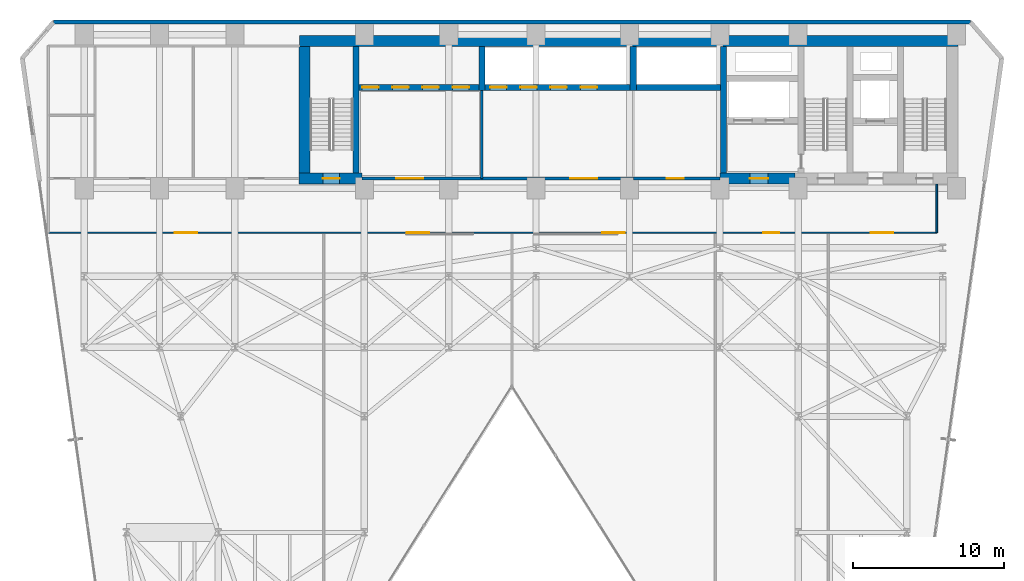
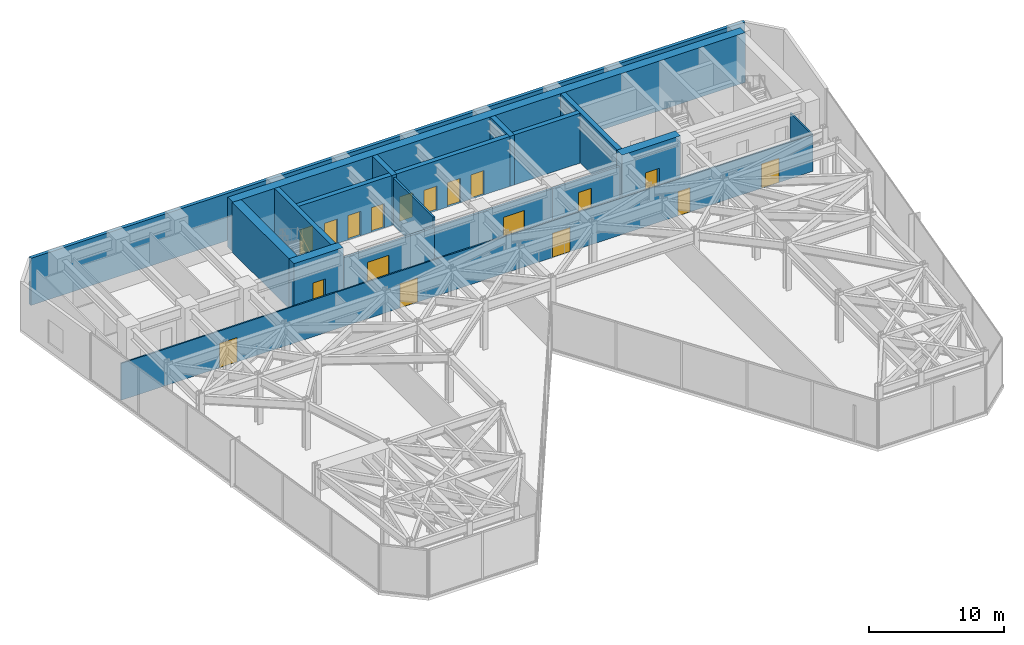
# One storey, part 24 of 28: 18 doors, 18 walls, 18 openings.
"""IFC4 building model written with IfcOpenShell, lengths in metres."""

from ifc_helpers import new_model, si_unit, direction, frame, frame_2d, origin, place, context, subcontext, project, spatial, rectangle, extrude, material, layer, layer_set, type_object, element, fill, save


model = new_model("IFC4")

# Units and contexts
model_context = context("Model", 3, precision=1e-05, world=origin(), true_north=direction((0.0, 1.0)))
body_context = subcontext(model_context, "Body", "Model", "MODEL_VIEW")
ifc_project = project(units=[si_unit("LENGTHUNIT", "METRE"), si_unit("AREAUNIT", "SQUARE_METRE"), si_unit("VOLUMEUNIT", "CUBIC_METRE"), si_unit("PLANEANGLEUNIT", "RADIAN"), si_unit("MASSUNIT", "GRAM", prefix="KILO")], contexts=[model_context])

# Site, building, storey
site_placement = place(None, origin())
site = spatial("IfcSite", under=ifc_project, at=site_placement, CompositionType="ELEMENT")
building_placement = place(site_placement, origin())
building = spatial("IfcBuilding", under=site, at=building_placement, Name="Kravanh Interchange Tower", CompositionType="ELEMENT")
storey_placement = place(building_placement, frame((0.0, 0.0, 91.5)))
storey = spatial("IfcBuildingStorey", under=building, at=storey_placement, Name="L21", CompositionType="ELEMENT", Elevation=91.5)

# Wall, openings, doors
ifc_material_1 = material(Name="Double Acoustic Gypsum Board and Mineral Wool")
ifc_layer_1 = layer(ifc_material_1, 0.1201171875)
ifc_layer_set_1 = layer_set([ifc_layer_1], Name="Acoustic Office Drywall Partition 120mm")
wall_type_1 = type_object("IfcWallType", Name="Acoustic Office Drywall Partition 120mm", PredefinedType="PARTITIONING", material=ifc_layer_set_1)
wall_1_placement = place(storey_placement, frame((6.219970703125, 34.39990234375, 0.0), z_axis=(0.0, 0.0, 1.0), x_axis=(1.0, 0.0, 0.0)))
wall_1 = element("IfcWall", 1, at=wall_1_placement, inside=storey, type_object=wall_type_1, Name="L21 Interior Partition 11", PredefinedType="PARTITIONING", context=body_context, shape_type="SweptSolid", body=[
    extrude(rectangle(XDim=58.97998046875, YDim=0.1201171875, at=frame_2d((29.489990234375, 0.0))), origin(), (0.0, 0.0, 1.0), 3.322998046875),
])
opening_1_placement = place(wall_1_placement, frame((8.389892578125, 0.0, 0.0)))
opening_1 = element("IfcOpeningElement", 2, at=opening_1_placement, cuts=wall_1, Name="Opening DBL-150", PredefinedType="OPENING", context=body_context, shape_type="SweptSolid", body=[
    extrude(rectangle(XDim=1.5, YDim=2.199951171875, at=frame_2d((0.75, 1.10009765625))), frame((0.0, 0.070068359375, 0.0), z_axis=(0.0, -1.0, 0.0), x_axis=(1.0, 0.0, 0.0)), (0.0, 0.0, 1.0), 0.14013671875),
])
opening_2_placement = place(wall_1_placement, frame((23.780029296875, 0.0, 0.0)))
opening_2 = element("IfcOpeningElement", 3, at=opening_2_placement, cuts=wall_1, Name="Opening DBL-150", PredefinedType="OPENING", context=body_context, shape_type="SweptSolid", body=[
    extrude(rectangle(XDim=1.5, YDim=2.199951171875, at=frame_2d((0.75, 1.10009765625))), frame((0.0, 0.070068359375, 0.0), z_axis=(0.0, -1.0, 0.0), x_axis=(1.0, 0.0, 0.0)), (0.0, 0.0, 1.0), 0.14013671875),
])
opening_3_placement = place(wall_1_placement, frame((36.780029296875, 0.0, 0.0)))
opening_3 = element("IfcOpeningElement", 4, at=opening_3_placement, cuts=wall_1, Name="Opening DBL-150", PredefinedType="OPENING", context=body_context, shape_type="SweptSolid", body=[
    extrude(rectangle(XDim=1.5, YDim=2.199951171875, at=frame_2d((0.75, 1.10009765625))), frame((0.0, 0.070068359375, 0.0), z_axis=(0.0, -1.0, 0.0), x_axis=(1.0, 0.0, 0.0)), (0.0, 0.0, 1.0), 0.14013671875),
])
opening_4_placement = place(wall_1_placement, frame((47.46484375, 0.0, 0.0)))
opening_4 = element("IfcOpeningElement", 5, at=opening_4_placement, cuts=wall_1, Name="Opening D-105", PredefinedType="OPENING", context=body_context, shape_type="SweptSolid", body=[
    extrude(rectangle(XDim=1.050048828125, YDim=2.199951171875, at=frame_2d((0.52490234375, 1.10009765625))), frame((0.0, 0.070068359375, 0.0), z_axis=(0.0, -1.0, 0.0), x_axis=(1.0, 0.0, 0.0)), (0.0, 0.0, 1.0), 0.14013671875),
])
opening_5_placement = place(wall_1_placement, frame((54.589599609375, 0.0, 0.0)))
opening_5 = element("IfcOpeningElement", 6, at=opening_5_placement, cuts=wall_1, Name="Opening DBL-150", PredefinedType="OPENING", context=body_context, shape_type="SweptSolid", body=[
    extrude(rectangle(XDim=1.5, YDim=2.199951171875, at=frame_2d((0.75, 1.10009765625))), frame((0.0, 0.070068359375, 0.0), z_axis=(0.0, -1.0, 0.0), x_axis=(1.0, 0.0, 0.0)), (0.0, 0.0, 1.0), 0.14013671875),
])
ifc_material_2 = material(Name="Acoustic Timber and Toughened Glass", Category="wood")
door_type_1 = type_object("IfcDoorType", Name="Conference Hall Double Door 1500x2200", OperationType="DOUBLE_DOOR_SINGLE_SWING", PredefinedType="DOOR", material=ifc_material_2)
door_1_placement = place(opening_1_placement, origin())
door_1 = element("IfcDoor", 7, at=door_1_placement, inside=storey, type_object=door_type_1, Name="L21 Sky Espresso Lounge Door", OperationType="DOUBLE_DOOR_SINGLE_SWING", OverallHeight=2.199951171875, OverallWidth=1.5, PredefinedType="DOOR", context=body_context, shape_type="SweptSolid", body=[
    extrude(rectangle(XDim=1.5, YDim=2.199951171875, at=frame_2d((0.75, 1.10009765625))), frame((0.0, 0.02490234375, 0.0), z_axis=(0.0, -1.0, 0.0), x_axis=(1.0, 0.0, 0.0)), (0.0, 0.0, 1.0), 0.050048828125),
])
fill(opening_1, door_1)
door_2_placement = place(opening_2_placement, origin())
door_2 = element("IfcDoor", 8, at=door_2_placement, inside=storey, type_object=door_type_1, Name="L21 West Transfer Lounge Door", OperationType="DOUBLE_DOOR_SINGLE_SWING", OverallHeight=2.199951171875, OverallWidth=1.5, PredefinedType="DOOR", context=body_context, shape_type="SweptSolid", body=[
    extrude(rectangle(XDim=1.5, YDim=2.199951171875, at=frame_2d((0.75, 1.10009765625))), frame((0.0, 0.02490234375, 0.0), z_axis=(0.0, -1.0, 0.0), x_axis=(1.0, 0.0, 0.0)), (0.0, 0.0, 1.0), 0.050048828125),
])
fill(opening_2, door_2)
door_3_placement = place(opening_3_placement, origin())
door_3 = element("IfcDoor", 9, at=door_3_placement, inside=storey, type_object=door_type_1, Name="L21 East Transfer Hall Door", OperationType="DOUBLE_DOOR_SINGLE_SWING", OverallHeight=2.199951171875, OverallWidth=1.5, PredefinedType="DOOR", context=body_context, shape_type="SweptSolid", body=[
    extrude(rectangle(XDim=1.5, YDim=2.199951171875, at=frame_2d((0.75, 1.10009765625))), frame((0.0, 0.02490234375, 0.0), z_axis=(0.0, -1.0, 0.0), x_axis=(1.0, 0.0, 0.0)), (0.0, 0.0, 1.0), 0.050048828125),
])
fill(opening_3, door_3)
door_4_placement = place(opening_5_placement, origin())
door_4 = element("IfcDoor", 10, at=door_4_placement, inside=storey, type_object=door_type_1, Name="L21 Sky Concierge Office Door", OperationType="DOUBLE_DOOR_SINGLE_SWING", OverallHeight=2.199951171875, OverallWidth=1.5, PredefinedType="DOOR", context=body_context, shape_type="SweptSolid", body=[
    extrude(rectangle(XDim=1.5, YDim=2.199951171875, at=frame_2d((0.75, 1.10009765625))), frame((0.0, 0.02490234375, 0.0), z_axis=(0.0, -1.0, 0.0), x_axis=(1.0, 0.0, 0.0)), (0.0, 0.0, 1.0), 0.050048828125),
])
fill(opening_5, door_4)
ifc_material_3 = material(Name="Acoustic Glazed Oak and Aluminium", Category="aluminium")
door_type_2 = type_object("IfcDoorType", Name="Office Workplace Door 1050x2200", OperationType="NOTDEFINED", PredefinedType="DOOR", material=ifc_material_3)
door_5_placement = place(opening_4_placement, origin())
door_5 = element("IfcDoor", 11, at=door_5_placement, inside=storey, type_object=door_type_2, Name="L21 Sky Briefing Boardroom Door", OperationType="SINGLE_SWING_LEFT", OverallHeight=2.199951171875, OverallWidth=1.050048828125, PredefinedType="DOOR", context=body_context, shape_type="SweptSolid", body=[
    extrude(rectangle(XDim=1.050048828125, YDim=2.199951171875, at=frame_2d((0.52490234375, 1.10009765625))), frame((0.0, 0.02490234375, 0.0), z_axis=(0.0, -1.0, 0.0), x_axis=(1.0, 0.0, 0.0)), (0.0, 0.0, 1.0), 0.050048828125),
])
fill(opening_4, door_5)

# Walls
wall_2_placement = place(storey_placement, frame((65.199951171875, 34.39990234375, 0.0), z_axis=(0.0, 0.0, 1.0), x_axis=(0.0, 1.0, 0.0)))
element("IfcWall", 12, at=wall_2_placement, inside=storey, type_object=wall_type_1, Name="L21 Interior Partition 13", PredefinedType="PARTITIONING", context=body_context, shape_type="SweptSolid", body=[
    extrude(rectangle(XDim=3.217041015625, YDim=0.1201171875, at=frame_2d((1.6083984375, 0.0))), origin(), (0.0, 0.0, 1.0), 3.322998046875),
])
ifc_material_4 = material(Name="Concrete C80/95", Category="concrete")
ifc_layer_2 = layer(ifc_material_4, 0.39990234375)
ifc_layer_set_2 = layer_set([ifc_layer_2], Name="Core Shear Wall Concrete C80/95 400mm")
wall_type_2 = type_object("IfcWallType", Name="Core Shear Wall Concrete C80/95 400mm", PredefinedType="SHEAR", material=ifc_layer_set_2)
wall_3_placement = place(storey_placement, frame((51.050048828125, 38.375, 0.0), z_axis=(0.0, 0.0, 1.0), x_axis=(0.0, 1.0, 0.0)))
element("IfcWall", 13, at=wall_3_placement, inside=storey, type_object=wall_type_2, Name="L21 Firefighting Lobby West Wall", PredefinedType="SHEAR", context=body_context, shape_type="SweptSolid", body=[
    extrude(rectangle(XDim=8.375, YDim=0.39990234375, at=frame_2d((4.1875, 0.0))), origin(), (0.0, 0.0, 1.0), 4.5),
])
wall_4_placement = place(storey_placement, frame((45.25, 44.050048828125, 0.0), z_axis=(0.0, 0.0, 1.0), x_axis=(1.0, 0.0, 0.0)))
element("IfcWall", 14, at=wall_4_placement, inside=storey, type_object=wall_type_2, Name="L21 High-Rise Lift Shaft South Wall", PredefinedType="SHEAR", context=body_context, shape_type="SweptSolid", body=[
    extrude(rectangle(XDim=5.60009765625, YDim=0.39990234375, at=frame_2d((2.800048828125, 0.0))), origin(), (0.0, 0.0, 1.0), 4.5),
])
wall_5_placement = place(storey_placement, frame((45.050048828125, 43.85009765625, 0.0), z_axis=(0.0, 0.0, 1.0), x_axis=(0.0, 1.0, 0.0)))
element("IfcWall", 15, at=wall_5_placement, inside=storey, type_object=wall_type_2, Name="L21 High-Rise Lift Shaft West Wall", PredefinedType="SHEAR", context=body_context, shape_type="SweptSolid", body=[
    extrude(rectangle(XDim=2.89990234375, YDim=0.39990234375, at=frame_2d((1.449951171875, 0.0))), origin(), (0.0, 0.0, 1.0), 4.5),
])

# Wall, openings, doors
wall_6_placement = place(storey_placement, frame((35.199951171875, 44.050048828125, 0.0), z_axis=(0.0, 0.0, 1.0), x_axis=(1.0, 0.0, 0.0)))
wall_6 = element("IfcWall", 16, at=wall_6_placement, inside=storey, type_object=wall_type_2, Name="L21 Mid-Rise Lift Shaft South Wall", PredefinedType="SHEAR", context=body_context, shape_type="SweptSolid", body=[
    extrude(rectangle(XDim=9.650146484375, YDim=0.39990234375, at=frame_2d((4.8251953125, 0.0))), origin(), (0.0, 0.0, 1.0), 4.5),
])
opening_6_placement = place(wall_6_placement, frame((0.35009765625, 0.0, 0.0)))
opening_6 = element("IfcOpeningElement", 17, at=opening_6_placement, cuts=wall_6, Name="Opening LD01", PredefinedType="OPENING", context=body_context, shape_type="SweptSolid", body=[
    extrude(rectangle(XDim=1.10009765625, YDim=2.199951171875, at=frame_2d((0.550048828125, 1.10009765625))), frame((0.0, 0.2099609375, 0.0), z_axis=(0.0, -1.0, 0.0), x_axis=(1.0, 0.0, 0.0)), (0.0, 0.0, 1.0), 0.419921875),
])
opening_7_placement = place(wall_6_placement, frame((2.35009765625, 0.0, 0.0)))
opening_7 = element("IfcOpeningElement", 18, at=opening_7_placement, cuts=wall_6, Name="Opening LD01", PredefinedType="OPENING", context=body_context, shape_type="SweptSolid", body=[
    extrude(rectangle(XDim=1.10009765625, YDim=2.199951171875, at=frame_2d((0.550048828125, 1.10009765625))), frame((0.0, 0.2099609375, 0.0), z_axis=(0.0, -1.0, 0.0), x_axis=(1.0, 0.0, 0.0)), (0.0, 0.0, 1.0), 0.419921875),
])
opening_8_placement = place(wall_6_placement, frame((4.35009765625, 0.0, 0.0)))
opening_8 = element("IfcOpeningElement", 19, at=opening_8_placement, cuts=wall_6, Name="Opening LD01", PredefinedType="OPENING", context=body_context, shape_type="SweptSolid", body=[
    extrude(rectangle(XDim=1.10009765625, YDim=2.199951171875, at=frame_2d((0.550048828125, 1.10009765625))), frame((0.0, 0.2099609375, 0.0), z_axis=(0.0, -1.0, 0.0), x_axis=(1.0, 0.0, 0.0)), (0.0, 0.0, 1.0), 0.419921875),
])
opening_9_placement = place(wall_6_placement, frame((6.35009765625, 0.0, 0.0)))
opening_9 = element("IfcOpeningElement", 20, at=opening_9_placement, cuts=wall_6, Name="Opening LD01", PredefinedType="OPENING", context=body_context, shape_type="SweptSolid", body=[
    extrude(rectangle(XDim=1.10009765625, YDim=2.199951171875, at=frame_2d((0.550048828125, 1.10009765625))), frame((0.0, 0.2099609375, 0.0), z_axis=(0.0, -1.0, 0.0), x_axis=(1.0, 0.0, 0.0)), (0.0, 0.0, 1.0), 0.419921875),
])
ifc_material_5 = material(Name="Stainless Steel 304", Category="steel")
door_type_3 = type_object("IfcDoorType", Name="Passenger Lift Sliding Landing Door 1100x2200", OperationType="DOUBLE_DOOR_SLIDING", PredefinedType="DOOR", material=ifc_material_5)
door_6_placement = place(opening_6_placement, origin())
door_6 = element("IfcDoor", 21, at=door_6_placement, inside=storey, type_object=door_type_3, Name="L21 Lift LP-M1 Landing Door", OperationType="DOUBLE_DOOR_SLIDING", OverallHeight=2.199951171875, OverallWidth=1.10009765625, PredefinedType="DOOR", context=body_context, shape_type="SweptSolid", body=[
    extrude(rectangle(XDim=1.10009765625, YDim=2.199951171875, at=frame_2d((0.550048828125, 1.10009765625))), frame((0.0, 0.02490234375, 0.0), z_axis=(0.0, -1.0, 0.0), x_axis=(1.0, 0.0, 0.0)), (0.0, 0.0, 1.0), 0.050048828125),
])
fill(opening_6, door_6)
door_7_placement = place(opening_7_placement, origin())
door_7 = element("IfcDoor", 22, at=door_7_placement, inside=storey, type_object=door_type_3, Name="L21 Lift LP-M2 Landing Door", OperationType="DOUBLE_DOOR_SLIDING", OverallHeight=2.199951171875, OverallWidth=1.10009765625, PredefinedType="DOOR", context=body_context, shape_type="SweptSolid", body=[
    extrude(rectangle(XDim=1.10009765625, YDim=2.199951171875, at=frame_2d((0.550048828125, 1.10009765625))), frame((0.0, 0.02490234375, 0.0), z_axis=(0.0, -1.0, 0.0), x_axis=(1.0, 0.0, 0.0)), (0.0, 0.0, 1.0), 0.050048828125),
])
fill(opening_7, door_7)
door_8_placement = place(opening_8_placement, origin())
door_8 = element("IfcDoor", 23, at=door_8_placement, inside=storey, type_object=door_type_3, Name="L21 Lift LP-M3 Landing Door", OperationType="DOUBLE_DOOR_SLIDING", OverallHeight=2.199951171875, OverallWidth=1.10009765625, PredefinedType="DOOR", context=body_context, shape_type="SweptSolid", body=[
    extrude(rectangle(XDim=1.10009765625, YDim=2.199951171875, at=frame_2d((0.550048828125, 1.10009765625))), frame((0.0, 0.02490234375, 0.0), z_axis=(0.0, -1.0, 0.0), x_axis=(1.0, 0.0, 0.0)), (0.0, 0.0, 1.0), 0.050048828125),
])
fill(opening_8, door_8)
door_9_placement = place(opening_9_placement, origin())
door_9 = element("IfcDoor", 24, at=door_9_placement, inside=storey, type_object=door_type_3, Name="L21 Lift LP-M4 Landing Door", OperationType="DOUBLE_DOOR_SLIDING", OverallHeight=2.199951171875, OverallWidth=1.10009765625, PredefinedType="DOOR", context=body_context, shape_type="SweptSolid", body=[
    extrude(rectangle(XDim=1.10009765625, YDim=2.199951171875, at=frame_2d((0.550048828125, 1.10009765625))), frame((0.0, 0.02490234375, 0.0), z_axis=(0.0, -1.0, 0.0), x_axis=(1.0, 0.0, 0.0)), (0.0, 0.0, 1.0), 0.050048828125),
])
fill(opening_9, door_9)

# Wall
wall_7_placement = place(storey_placement, frame((35.0, 43.85009765625, 0.0), z_axis=(0.0, 0.0, 1.0), x_axis=(0.0, 1.0, 0.0)))
element("IfcWall", 25, at=wall_7_placement, inside=storey, type_object=wall_type_2, Name="L21 Mid-Rise Lift Shaft West Wall", PredefinedType="SHEAR", context=body_context, shape_type="SweptSolid", body=[
    extrude(rectangle(XDim=2.89990234375, YDim=0.39990234375, at=frame_2d((1.449951171875, 0.0))), origin(), (0.0, 0.0, 1.0), 4.5),
])

# Wall, openings, doors
wall_8_placement = place(storey_placement, frame((26.85009765625, 44.050048828125, 0.0), z_axis=(0.0, 0.0, 1.0), x_axis=(1.0, 0.0, 0.0)))
wall_8 = element("IfcWall", 26, at=wall_8_placement, inside=storey, type_object=wall_type_2, Name="L21 Low-Rise Lift Shaft South Wall", PredefinedType="SHEAR", context=body_context, shape_type="SweptSolid", body=[
    extrude(rectangle(XDim=7.949951171875, YDim=0.39990234375, at=frame_2d((3.97509765625, 0.0))), origin(), (0.0, 0.0, 1.0), 4.5),
])
opening_10_placement = place(wall_8_placement, frame((0.199951171875, 0.0, 0.0)))
opening_10 = element("IfcOpeningElement", 27, at=opening_10_placement, cuts=wall_8, Name="Opening LD01", PredefinedType="OPENING", context=body_context, shape_type="SweptSolid", body=[
    extrude(rectangle(XDim=1.10009765625, YDim=2.199951171875, at=frame_2d((0.550048828125, 1.10009765625))), frame((0.0, 0.2099609375, 0.0), z_axis=(0.0, -1.0, 0.0), x_axis=(1.0, 0.0, 0.0)), (0.0, 0.0, 1.0), 0.419921875),
])
opening_11_placement = place(wall_8_placement, frame((2.199951171875, 0.0, 0.0)))
opening_11 = element("IfcOpeningElement", 28, at=opening_11_placement, cuts=wall_8, Name="Opening LD01", PredefinedType="OPENING", context=body_context, shape_type="SweptSolid", body=[
    extrude(rectangle(XDim=1.10009765625, YDim=2.199951171875, at=frame_2d((0.550048828125, 1.10009765625))), frame((0.0, 0.2099609375, 0.0), z_axis=(0.0, -1.0, 0.0), x_axis=(1.0, 0.0, 0.0)), (0.0, 0.0, 1.0), 0.419921875),
])
opening_12_placement = place(wall_8_placement, frame((4.199951171875, 0.0, 0.0)))
opening_12 = element("IfcOpeningElement", 29, at=opening_12_placement, cuts=wall_8, Name="Opening LD01", PredefinedType="OPENING", context=body_context, shape_type="SweptSolid", body=[
    extrude(rectangle(XDim=1.10009765625, YDim=2.199951171875, at=frame_2d((0.550048828125, 1.10009765625))), frame((0.0, 0.2099609375, 0.0), z_axis=(0.0, -1.0, 0.0), x_axis=(1.0, 0.0, 0.0)), (0.0, 0.0, 1.0), 0.419921875),
])
opening_13_placement = place(wall_8_placement, frame((6.199951171875, 0.0, 0.0)))
opening_13 = element("IfcOpeningElement", 30, at=opening_13_placement, cuts=wall_8, Name="Opening LD01", PredefinedType="OPENING", context=body_context, shape_type="SweptSolid", body=[
    extrude(rectangle(XDim=1.10009765625, YDim=2.199951171875, at=frame_2d((0.550048828125, 1.10009765625))), frame((0.0, 0.2099609375, 0.0), z_axis=(0.0, -1.0, 0.0), x_axis=(1.0, 0.0, 0.0)), (0.0, 0.0, 1.0), 0.419921875),
])
door_10_placement = place(opening_10_placement, origin())
door_10 = element("IfcDoor", 31, at=door_10_placement, inside=storey, type_object=door_type_3, Name="L21 Lift LP-L1 Landing Door", OperationType="DOUBLE_DOOR_SLIDING", OverallHeight=2.199951171875, OverallWidth=1.10009765625, PredefinedType="DOOR", context=body_context, shape_type="SweptSolid", body=[
    extrude(rectangle(XDim=1.10009765625, YDim=2.199951171875, at=frame_2d((0.550048828125, 1.10009765625))), frame((0.0, 0.02490234375, 0.0), z_axis=(0.0, -1.0, 0.0), x_axis=(1.0, 0.0, 0.0)), (0.0, 0.0, 1.0), 0.050048828125),
])
fill(opening_10, door_10)
door_11_placement = place(opening_11_placement, origin())
door_11 = element("IfcDoor", 32, at=door_11_placement, inside=storey, type_object=door_type_3, Name="L21 Lift LP-L2 Landing Door", OperationType="DOUBLE_DOOR_SLIDING", OverallHeight=2.199951171875, OverallWidth=1.10009765625, PredefinedType="DOOR", context=body_context, shape_type="SweptSolid", body=[
    extrude(rectangle(XDim=1.10009765625, YDim=2.199951171875, at=frame_2d((0.550048828125, 1.10009765625))), frame((0.0, 0.02490234375, 0.0), z_axis=(0.0, -1.0, 0.0), x_axis=(1.0, 0.0, 0.0)), (0.0, 0.0, 1.0), 0.050048828125),
])
fill(opening_11, door_11)
door_12_placement = place(opening_12_placement, origin())
door_12 = element("IfcDoor", 33, at=door_12_placement, inside=storey, type_object=door_type_3, Name="L21 Lift LP-L3 Landing Door", OperationType="DOUBLE_DOOR_SLIDING", OverallHeight=2.199951171875, OverallWidth=1.10009765625, PredefinedType="DOOR", context=body_context, shape_type="SweptSolid", body=[
    extrude(rectangle(XDim=1.10009765625, YDim=2.199951171875, at=frame_2d((0.550048828125, 1.10009765625))), frame((0.0, 0.02490234375, 0.0), z_axis=(0.0, -1.0, 0.0), x_axis=(1.0, 0.0, 0.0)), (0.0, 0.0, 1.0), 0.050048828125),
])
fill(opening_12, door_12)
door_13_placement = place(opening_13_placement, origin())
door_13 = element("IfcDoor", 34, at=door_13_placement, inside=storey, type_object=door_type_3, Name="L21 Lift LP-L4 Landing Door", OperationType="DOUBLE_DOOR_SLIDING", OverallHeight=2.199951171875, OverallWidth=1.10009765625, PredefinedType="DOOR", context=body_context, shape_type="SweptSolid", body=[
    extrude(rectangle(XDim=1.10009765625, YDim=2.199951171875, at=frame_2d((0.550048828125, 1.10009765625))), frame((0.0, 0.02490234375, 0.0), z_axis=(0.0, -1.0, 0.0), x_axis=(1.0, 0.0, 0.0)), (0.0, 0.0, 1.0), 0.050048828125),
])
fill(opening_13, door_13)

# Walls
wall_9_placement = place(storey_placement, frame((26.64990234375, 38.375, 0.0), z_axis=(0.0, 0.0, 1.0), x_axis=(0.0, 1.0, 0.0)))
element("IfcWall", 35, at=wall_9_placement, inside=storey, type_object=wall_type_2, Name="L21 Stair ST3 East Shear Wall", PredefinedType="SHEAR", context=body_context, shape_type="SweptSolid", body=[
    extrude(rectangle(XDim=8.375, YDim=0.39990234375, at=frame_2d((4.1875, 0.0))), origin(), (0.0, 0.0, 1.0), 4.5),
])
ifc_material_6 = material(Name="Concrete C80/95", Category="concrete")
ifc_layer_3 = layer(ifc_material_6, 0.75)
ifc_layer_set_3 = layer_set([ifc_layer_3], Name="Core Shear Wall Concrete C80/95 750mm")
wall_type_3 = type_object("IfcWallType", Name="Core Shear Wall Concrete C80/95 750mm", PredefinedType="SHEAR", material=ifc_layer_set_3)
wall_10_placement = place(storey_placement, frame((22.89990234375, 47.125, 0.0), z_axis=(0.0, 0.0, 1.0), x_axis=(1.0, 0.0, 0.0)))
element("IfcWall", 36, at=wall_10_placement, inside=storey, type_object=wall_type_3, Name="L21 North Core Shear Wall", PredefinedType="SHEAR", context=body_context, shape_type="SweptSolid", body=[
    extrude(rectangle(XDim=43.7001953125, YDim=0.75, at=frame_2d((21.85009765625, 0.0))), origin(), (0.0, 0.0, 1.0), 4.5),
])

# Wall, opening, door
wall_11_placement = place(storey_placement, frame((50.800048828125, 38.0, 0.0), z_axis=(0.0, 0.0, 1.0), x_axis=(1.0, 0.0, 0.0)))
wall_11 = element("IfcWall", 37, at=wall_11_placement, inside=storey, type_object=wall_type_3, Name="L21 Firefighting Lobby South Shear Wall", PredefinedType="SHEAR", context=body_context, shape_type="SweptSolid", body=[
    extrude(rectangle(XDim=5.0, YDim=0.75, at=frame_2d((2.5, 0.0))), origin(), (0.0, 0.0, 1.0), 4.5),
])
opening_14_placement = place(wall_11_placement, frame((2.0, 0.0, 0.0)))
opening_14 = element("IfcOpeningElement", 38, at=opening_14_placement, cuts=wall_11, Name="Opening D-FSAE-120", PredefinedType="OPENING", context=body_context, shape_type="SweptSolid", body=[
    extrude(rectangle(XDim=1.199951171875, YDim=2.199951171875, at=frame_2d((0.60009765625, 1.10009765625))), frame((0.0, 0.385009765625, 0.0), z_axis=(0.0, -1.0, 0.0), x_axis=(1.0, 0.0, 0.0)), (0.0, 0.0, 1.0), 0.77001953125),
])
ifc_material_7 = material(Name="Structural Steel S355", Category="steel")
door_type_4 = type_object("IfcDoorType", Name="Fire-Rated Refuge and FSAE Door 1200x2200", OperationType="NOTDEFINED", PredefinedType="DOOR", material=ifc_material_7)
door_14_placement = place(opening_14_placement, origin())
door_14 = element("IfcDoor", 39, at=door_14_placement, inside=storey, type_object=door_type_4, Name="L21 Firefighting Lobby Corridor Door", OperationType="SINGLE_SWING_RIGHT", OverallHeight=2.199951171875, OverallWidth=1.199951171875, PredefinedType="DOOR", context=body_context, shape_type="SweptSolid", body=[
    extrude(rectangle(XDim=1.199951171875, YDim=2.199951171875, at=frame_2d((0.60009765625, 1.10009765625))), frame((0.0, 0.02490234375, 0.0), z_axis=(0.0, -1.0, 0.0), x_axis=(1.0, 0.0, 0.0)), (0.0, 0.0, 1.0), 0.050048828125),
])
fill(opening_14, door_14)

wall_12_placement = place(storey_placement, frame((22.85009765625, 38.0, 0.0), z_axis=(0.0, 0.0, 1.0), x_axis=(1.0, 0.0, 0.0)))
wall_12 = element("IfcWall", 40, at=wall_12_placement, inside=storey, type_object=wall_type_3, Name="L21 Stair ST3 South Shear Wall", PredefinedType="SHEAR", context=body_context, shape_type="SweptSolid", body=[
    extrude(rectangle(XDim=4.199951171875, YDim=0.75, at=frame_2d((2.10009765625, 0.0))), origin(), (0.0, 0.0, 1.0), 4.5),
])
opening_15_placement = place(wall_12_placement, frame((1.60009765625, 0.0, 0.0)))
opening_15 = element("IfcOpeningElement", 41, at=opening_15_placement, cuts=wall_12, Name="Opening D-STAIR-110", PredefinedType="OPENING", context=body_context, shape_type="SweptSolid", body=[
    extrude(rectangle(XDim=1.10009765625, YDim=2.199951171875, at=frame_2d((0.550048828125, 1.10009765625))), frame((0.0, 0.385009765625, 0.0), z_axis=(0.0, -1.0, 0.0), x_axis=(1.0, 0.0, 0.0)), (0.0, 0.0, 1.0), 0.77001953125),
])
ifc_material_8 = material(Name="Structural Steel S355", Category="steel")
door_type_5 = type_object("IfcDoorType", Name="Fire-Rated Exit Stair Door 1100x2200", OperationType="NOTDEFINED", PredefinedType="DOOR", material=ifc_material_8)
door_15_placement = place(opening_15_placement, origin())
door_15 = element("IfcDoor", 42, at=door_15_placement, inside=storey, type_object=door_type_5, Name="L21 Exit Stair ST3 Door", OperationType="SINGLE_SWING_RIGHT", OverallHeight=2.199951171875, OverallWidth=1.10009765625, PredefinedType="DOOR", context=body_context, shape_type="SweptSolid", body=[
    extrude(rectangle(XDim=1.10009765625, YDim=2.199951171875, at=frame_2d((0.550048828125, 1.10009765625))), frame((0.0, 0.02490234375, 0.0), z_axis=(0.0, -1.0, 0.0), x_axis=(1.0, 0.0, 0.0)), (0.0, 0.0, 1.0), 0.050048828125),
])
fill(opening_15, door_15)

# Walls
wall_13_placement = place(storey_placement, frame((23.22509765625, 38.375, 0.0), z_axis=(0.0, 0.0, 1.0), x_axis=(0.0, 1.0, 0.0)))
element("IfcWall", 43, at=wall_13_placement, inside=storey, type_object=wall_type_3, Name="L21 Stair ST3 West Shear Wall", PredefinedType="SHEAR", context=body_context, shape_type="SweptSolid", body=[
    extrude(rectangle(XDim=8.375, YDim=0.75, at=frame_2d((4.1875, 0.0))), origin(), (0.0, 0.0, 1.0), 4.5),
])
ifc_material_9 = material(Name="Insulated Precast Concrete C40/50 with Bronze Cladding", Category="concrete")
ifc_layer_4 = layer(ifc_material_9, 0.280029296875)
ifc_layer_set_4 = layer_set([ifc_layer_4], Name="Exterior Insulated Concrete C40/50 Bronze Spandrel Wall 280mm")
wall_type_4 = type_object("IfcWallType", Name="Exterior Insulated Concrete C40/50 Bronze Spandrel Wall 280mm", PredefinedType="STANDARD", material=ifc_layer_set_4)
wall_14_placement = place(storey_placement, frame((6.5546875, 48.3798828125, 0.0), z_axis=(0.0, 0.0, 1.0), x_axis=(1.0, 0.0, 0.0)))
element("IfcWall", 44, at=wall_14_placement, inside=storey, type_object=wall_type_4, Name="L21 Exterior Wall 3", PredefinedType="STANDARD", context=body_context, shape_type="SweptSolid", body=[
    extrude(rectangle(XDim=60.890625, YDim=0.280029296875, at=frame_2d((30.4453125, 0.0))), origin(), (0.0, 0.0, 1.0), 4.25),
])

# Wall, opening, door
ifc_material_10 = material(Name="Autoclaved Aerated Concrete C30/37 Blockwork", Category="masonry")
ifc_layer_5 = layer(ifc_material_10, 0.179931640625)
ifc_layer_set_5 = layer_set([ifc_layer_5], Name="Fire-Rated Lobby and Corridor Wall Concrete C30/37 180mm")
wall_type_5 = type_object("IfcWallType", Name="Fire-Rated Lobby and Corridor Wall Concrete C30/37 180mm", PredefinedType="STANDARD", material=ifc_layer_set_5)
wall_15_placement = place(storey_placement, frame((45.050048828125, 38.0, 0.0), z_axis=(0.0, 0.0, 1.0), x_axis=(1.0, 0.0, 0.0)))
wall_15 = element("IfcWall", 45, at=wall_15_placement, inside=storey, type_object=wall_type_5, Name="L21 Core South Enclosure 1", PredefinedType="STANDARD", context=body_context, shape_type="SweptSolid", body=[
    extrude(rectangle(XDim=5.75, YDim=0.179931640625, at=frame_2d((2.875, 0.0))), origin(), (0.0, 0.0, 1.0), 3.322998046875),
])
opening_16_placement = place(wall_15_placement, frame((2.240478515625, 0.0, 0.0)))
opening_16 = element("IfcOpeningElement", 46, at=opening_16_placement, cuts=wall_15, Name="Opening D-SHAFT-110", PredefinedType="OPENING", context=body_context, shape_type="SweptSolid", body=[
    extrude(rectangle(XDim=1.10009765625, YDim=2.199951171875, at=frame_2d((0.550048828125, 1.10009765625))), frame((0.0, 0.10009765625, 0.0), z_axis=(0.0, -1.0, 0.0), x_axis=(1.0, 0.0, 0.0)), (0.0, 0.0, 1.0), 0.199951171875),
])
ifc_material_11 = material(Name="Fire-Rated Composite Timber Leaf", Category="wood")
door_type_6 = type_object("IfcDoorType", Name="Fire-Rated Core Support Door 1100x2200", OperationType="NOTDEFINED", PredefinedType="DOOR", material=ifc_material_11)
door_16_placement = place(opening_16_placement, origin())
door_16 = element("IfcDoor", 47, at=door_16_placement, inside=storey, type_object=door_type_6, Name="L21 Core AHU Fan Room Door", OperationType="SINGLE_SWING_LEFT", OverallHeight=2.199951171875, OverallWidth=1.10009765625, PredefinedType="DOOR", context=body_context, shape_type="SweptSolid", body=[
    extrude(rectangle(XDim=1.10009765625, YDim=2.199951171875, at=frame_2d((0.550048828125, 1.10009765625))), frame((0.0, 0.02490234375, 0.0), z_axis=(0.0, -1.0, 0.0), x_axis=(1.0, 0.0, 0.0)), (0.0, 0.0, 1.0), 0.050048828125),
])
fill(opening_16, door_16)

# Wall
wall_16_placement = place(storey_placement, frame((35.0, 38.0, 0.0), z_axis=(0.0, 0.0, 1.0), x_axis=(0.0, 1.0, 0.0)))
element("IfcWall", 48, at=wall_16_placement, inside=storey, type_object=wall_type_5, Name="L21 Low-Rise Lobby East Wall 2", PredefinedType="STANDARD", context=body_context, shape_type="SweptSolid", body=[
    extrude(rectangle(XDim=5.85009765625, YDim=0.179931640625, at=frame_2d((2.925048828125, 0.0))), origin(), (0.0, 0.0, 1.0), 4.25),
])

# Wall, opening, door
wall_17_placement = place(storey_placement, frame((27.050048828125, 38.0, 0.0), z_axis=(0.0, 0.0, 1.0), x_axis=(1.0, 0.0, 0.0)))
wall_17 = element("IfcWall", 49, at=wall_17_placement, inside=storey, type_object=wall_type_5, Name="L21 Low-Rise Lobby South Wall 3", PredefinedType="STANDARD", context=body_context, shape_type="SweptSolid", body=[
    extrude(rectangle(XDim=7.949951171875, YDim=0.179931640625, at=frame_2d((3.97509765625, 0.0))), origin(), (0.0, 0.0, 1.0), 3.322998046875),
])
opening_17_placement = place(wall_17_placement, frame((2.25, 0.0, 0.0)))
opening_17 = element("IfcOpeningElement", 50, at=opening_17_placement, cuts=wall_17, Name="Opening DBL-180", PredefinedType="OPENING", context=body_context, shape_type="SweptSolid", body=[
    extrude(rectangle(XDim=1.800048828125, YDim=2.199951171875, at=frame_2d((0.89990234375, 1.10009765625))), frame((0.0, 0.10009765625, 0.0), z_axis=(0.0, -1.0, 0.0), x_axis=(1.0, 0.0, 0.0)), (0.0, 0.0, 1.0), 0.199951171875),
])
ifc_material_12 = material(Name="Structural Steel S355", Category="steel")
door_type_7 = type_object("IfcDoorType", Name="Lift Lobby Double Fire Door 1800x2200", OperationType="DOUBLE_DOOR_SINGLE_SWING", PredefinedType="DOOR", material=ifc_material_12)
door_17_placement = place(opening_17_placement, origin())
door_17 = element("IfcDoor", 51, at=door_17_placement, inside=storey, type_object=door_type_7, Name="L21 Low-Rise Lift Lobby Door", OperationType="DOUBLE_DOOR_SINGLE_SWING", OverallHeight=2.199951171875, OverallWidth=1.800048828125, PredefinedType="DOOR", context=body_context, shape_type="SweptSolid", body=[
    extrude(rectangle(XDim=1.800048828125, YDim=2.199951171875, at=frame_2d((0.89990234375, 1.10009765625))), frame((0.0, 0.02490234375, 0.0), z_axis=(0.0, -1.0, 0.0), x_axis=(1.0, 0.0, 0.0)), (0.0, 0.0, 1.0), 0.050048828125),
])
fill(opening_17, door_17)

wall_18_placement = place(storey_placement, frame((35.0, 38.0, 0.0), z_axis=(0.0, 0.0, 1.0), x_axis=(1.0, 0.0, 0.0)))
wall_18 = element("IfcWall", 52, at=wall_18_placement, inside=storey, type_object=wall_type_5, Name="L21 Mid-Rise Lobby South Wall 4", PredefinedType="STANDARD", context=body_context, shape_type="SweptSolid", body=[
    extrude(rectangle(XDim=10.050048828125, YDim=0.179931640625, at=frame_2d((5.02490234375, 0.0))), origin(), (0.0, 0.0, 1.0), 3.322998046875),
])
opening_18_placement = place(wall_18_placement, frame((5.85791015625, 0.0, 0.0)))
opening_18 = element("IfcOpeningElement", 53, at=opening_18_placement, cuts=wall_18, Name="Opening DBL-180", PredefinedType="OPENING", context=body_context, shape_type="SweptSolid", body=[
    extrude(rectangle(XDim=1.800048828125, YDim=2.199951171875, at=frame_2d((0.89990234375, 1.10009765625))), frame((0.0, 0.10009765625, 0.0), z_axis=(0.0, -1.0, 0.0), x_axis=(1.0, 0.0, 0.0)), (0.0, 0.0, 1.0), 0.199951171875),
])
door_18_placement = place(opening_18_placement, origin())
door_18 = element("IfcDoor", 54, at=door_18_placement, inside=storey, type_object=door_type_7, Name="L21 Mid-Rise Lift Lobby Door", OperationType="DOUBLE_DOOR_SINGLE_SWING", OverallHeight=2.199951171875, OverallWidth=1.800048828125, PredefinedType="DOOR", context=body_context, shape_type="SweptSolid", body=[
    extrude(rectangle(XDim=1.800048828125, YDim=2.199951171875, at=frame_2d((0.89990234375, 1.10009765625))), frame((0.0, 0.02490234375, 0.0), z_axis=(0.0, -1.0, 0.0), x_axis=(1.0, 0.0, 0.0)), (0.0, 0.0, 1.0), 0.050048828125),
])
fill(opening_18, door_18)

save(model, "model.ifc")
